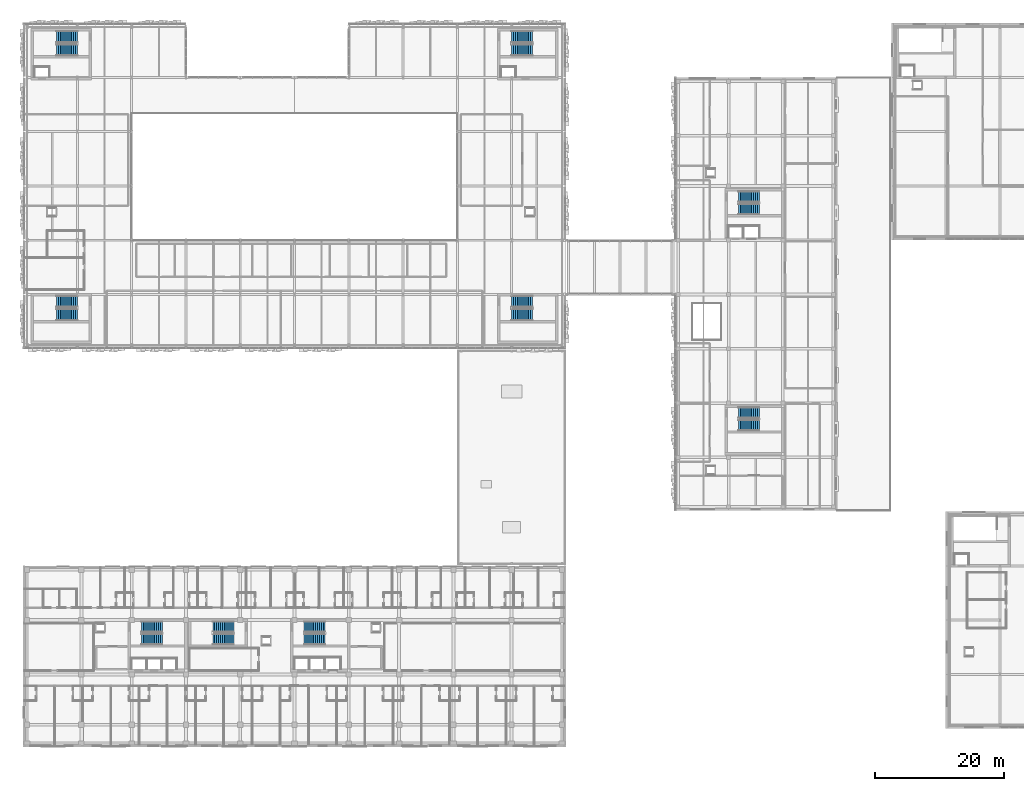
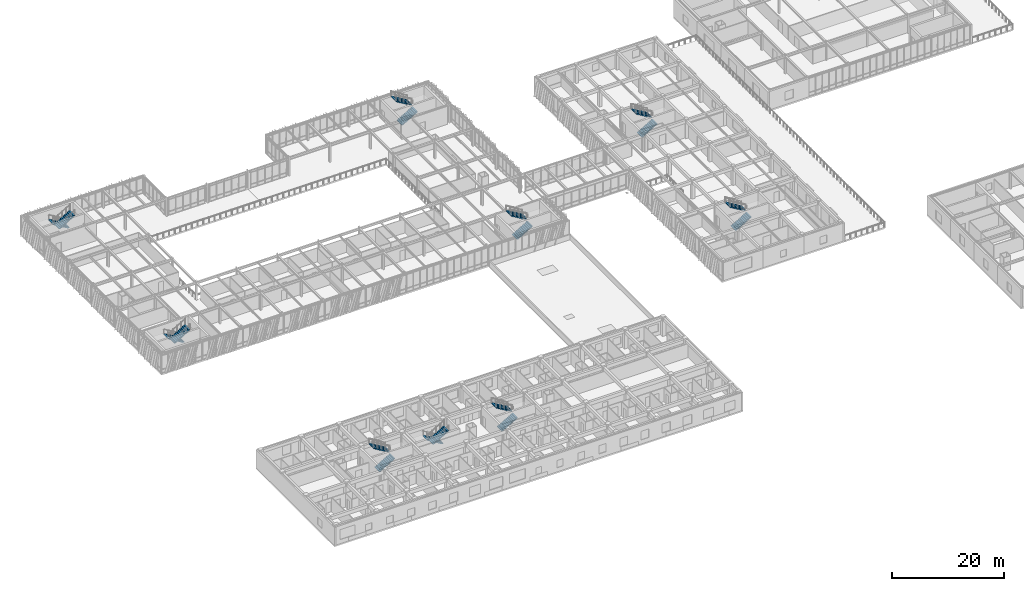
# One storey, part 114 of 127: 18 stair flights, 9 elements without a shape of their own.
"""IFC4 building model written with IfcOpenShell, lengths in metres."""

from ifc_helpers import new_model, si_unit, direction, frame, origin, place, context, subcontext, project, spatial, polyline, outline, extrude, material, type_object, element, aggregate, save


model = new_model("IFC4")

# Units and contexts
model_context = context("Model", 3, precision=1e-05, world=origin(), true_north=direction((0.0, 1.0)))
body_context = subcontext(model_context, "Body", "Model", "MODEL_VIEW")
ifc_project = project(units=[si_unit("LENGTHUNIT", "METRE"), si_unit("AREAUNIT", "SQUARE_METRE"), si_unit("VOLUMEUNIT", "CUBIC_METRE"), si_unit("PLANEANGLEUNIT", "RADIAN"), si_unit("MASSUNIT", "GRAM", prefix="KILO")], contexts=[model_context])

# Site, building, storey
site_placement = place(None, origin())
site = spatial("IfcSite", under=ifc_project, at=site_placement, CompositionType="ELEMENT")
building_placement = place(site_placement, origin())
building = spatial("IfcBuilding", under=site, at=building_placement, Name="Zayran Congress Hotel", CompositionType="ELEMENT")
storey_placement = place(building_placement, frame((0.0, 0.0, 10.800048828125)))
storey = spatial("IfcBuildingStorey", under=building, at=storey_placement, Name="L02", CompositionType="ELEMENT", Elevation=10.800048828125)

# Stair, stair flights
ifc_material = material(Name="Concrete C32/40", Category="concrete")
stair_type_1 = type_object("IfcStairType", Name="TP-STR-1700-42", PredefinedType="USERDEFINED", material=ifc_material)
stair_1_placement = place(storey_placement, origin())
stair_1 = element("IfcStair", 1, at=stair_1_placement, inside=storey, type_object=stair_type_1, Name="L02 ST-01", ObjectType="TWO_RETURN_STAIR", PredefinedType="USERDEFINED")
stair_flight_type_1 = type_object("IfcStairFlightType", Name="TP-STF-1700-42", PredefinedType="STRAIGHT", material=ifc_material)
stair_flight_1_placement = place(storey_placement, frame((26.699951171875, 22.610107421875, 0.0), z_axis=(0.0, 0.0, 1.0), x_axis=(1.0, 0.0, 0.0)))
stair_flight_1 = element("IfcStairFlight", 2, at=stair_flight_1_placement, type_object=stair_flight_type_1, Name="ST-01 flight 1", NumberOfRisers=12, NumberOfTreads=11, PredefinedType="STRAIGHT", RiserHeight=0.17499999999999996, TreadLength=0.295, context=body_context, shape_type="SweptSolid", body=[
    extrude(outline(polyline([(0.0, 0.0), (0.0, 0.175048828125), (0.294921875, 0.175048828125), (0.294921875, 0.35009765625), (0.590087890625, 0.35009765625), (0.590087890625, 0.52490234375), (0.885009765625, 0.52490234375), (0.885009765625, 0.699951171875), (1.179931640625, 0.699951171875), (1.179931640625, 0.875), (1.47509765625, 0.875), (1.47509765625, 1.050048828125), (1.77001953125, 1.050048828125), (1.77001953125, 1.22509765625), (2.06494140625, 1.22509765625), (2.06494140625, 1.39990234375), (2.360107421875, 1.39990234375), (2.360107421875, 1.574951171875), (2.655029296875, 1.574951171875), (2.655029296875, 1.75), (2.949951171875, 1.75), (2.949951171875, 1.925048828125), (3.2451171875, 1.925048828125), (3.2451171875, 2.10009765625), (3.2451171875, 1.750732421875), (0.293701171875, 0.0), (0.0, 0.0)])), frame((0.0, 0.85009765625, 0.0), z_axis=(0.0, -1.0, 0.0), x_axis=(1.0, 0.0, 0.0)), (0.0, 0.0, 1.0), 1.699951171875),
])
stair_flight_2_placement = place(storey_placement, frame((29.945068359375, 24.550048828125, 2.099853515625), z_axis=(0.0, 0.0, 1.0), x_axis=(-1.0, 0.0, 0.0)))
stair_flight_2 = element("IfcStairFlight", 3, at=stair_flight_2_placement, type_object=stair_flight_type_1, Name="ST-01 flight 2", NumberOfRisers=12, NumberOfTreads=11, PredefinedType="STRAIGHT", RiserHeight=0.17499999999999996, TreadLength=0.295, context=body_context, shape_type="SweptSolid", body=[
    extrude(outline(polyline([(0.0, 0.0), (0.0, 0.175048828125), (0.294921875, 0.175048828125), (0.294921875, 0.35009765625), (0.590087890625, 0.35009765625), (0.590087890625, 0.52490234375), (0.885009765625, 0.52490234375), (0.885009765625, 0.699951171875), (1.179931640625, 0.699951171875), (1.179931640625, 0.875), (1.47509765625, 0.875), (1.47509765625, 1.050048828125), (1.77001953125, 1.050048828125), (1.77001953125, 1.22509765625), (2.06494140625, 1.22509765625), (2.06494140625, 1.39990234375), (2.360107421875, 1.39990234375), (2.360107421875, 1.574951171875), (2.655029296875, 1.574951171875), (2.655029296875, 1.75), (2.949951171875, 1.75), (2.949951171875, 1.925048828125), (3.2451171875, 1.925048828125), (3.2451171875, 2.10009765625), (3.2451171875, 1.750732421875), (0.293701171875, 0.0), (0.0, 0.0)])), frame((0.0, 0.85009765625, 0.0), z_axis=(0.0, -1.0, 0.0), x_axis=(1.0, 0.0, 0.0)), (0.0, 0.0, 1.0), 1.699951171875),
])
aggregate(stair_1, [stair_flight_1, stair_flight_2])

stair_2_placement = place(storey_placement, origin())
stair_2 = element("IfcStair", 4, at=stair_2_placement, inside=storey, type_object=stair_type_1, Name="L02 ST-02", ObjectType="TWO_RETURN_STAIR", PredefinedType="USERDEFINED")
stair_flight_3_placement = place(storey_placement, frame((51.89990234375, 22.610107421875, 0.0), z_axis=(0.0, 0.0, 1.0), x_axis=(1.0, 0.0, 0.0)))
stair_flight_3 = element("IfcStairFlight", 5, at=stair_flight_3_placement, type_object=stair_flight_type_1, Name="ST-02 flight 1", NumberOfRisers=12, NumberOfTreads=11, PredefinedType="STRAIGHT", RiserHeight=0.17499999999999996, TreadLength=0.295, context=body_context, shape_type="SweptSolid", body=[
    extrude(outline(polyline([(0.0, 0.0), (0.0, 0.175048828125), (0.294921875, 0.175048828125), (0.294921875, 0.35009765625), (0.590087890625, 0.35009765625), (0.590087890625, 0.52490234375), (0.885009765625, 0.52490234375), (0.885009765625, 0.699951171875), (1.179931640625, 0.699951171875), (1.179931640625, 0.875), (1.47509765625, 0.875), (1.47509765625, 1.050048828125), (1.77001953125, 1.050048828125), (1.77001953125, 1.22509765625), (2.06494140625, 1.22509765625), (2.06494140625, 1.39990234375), (2.360107421875, 1.39990234375), (2.360107421875, 1.574951171875), (2.655029296875, 1.574951171875), (2.655029296875, 1.75), (2.949951171875, 1.75), (2.949951171875, 1.925048828125), (3.2451171875, 1.925048828125), (3.2451171875, 2.10009765625), (3.2451171875, 1.750732421875), (0.293701171875, 0.0), (0.0, 0.0)])), frame((0.0, 0.85009765625, 0.0), z_axis=(0.0, -1.0, 0.0), x_axis=(1.0, 0.0, 0.0)), (0.0, 0.0, 1.0), 1.699951171875),
])
stair_flight_4_placement = place(storey_placement, frame((55.14501953125, 24.550048828125, 2.099853515625), z_axis=(0.0, 0.0, 1.0), x_axis=(-1.0, 0.0, 0.0)))
stair_flight_4 = element("IfcStairFlight", 6, at=stair_flight_4_placement, type_object=stair_flight_type_1, Name="ST-02 flight 2", NumberOfRisers=12, NumberOfTreads=11, PredefinedType="STRAIGHT", RiserHeight=0.17499999999999996, TreadLength=0.295, context=body_context, shape_type="SweptSolid", body=[
    extrude(outline(polyline([(0.0, 0.0), (0.0, 0.175048828125), (0.294921875, 0.175048828125), (0.294921875, 0.35009765625), (0.590087890625, 0.35009765625), (0.590087890625, 0.52490234375), (0.885009765625, 0.52490234375), (0.885009765625, 0.699951171875), (1.179931640625, 0.699951171875), (1.179931640625, 0.875), (1.47509765625, 0.875), (1.47509765625, 1.050048828125), (1.77001953125, 1.050048828125), (1.77001953125, 1.22509765625), (2.06494140625, 1.22509765625), (2.06494140625, 1.39990234375), (2.360107421875, 1.39990234375), (2.360107421875, 1.574951171875), (2.655029296875, 1.574951171875), (2.655029296875, 1.75), (2.949951171875, 1.75), (2.949951171875, 1.925048828125), (3.2451171875, 1.925048828125), (3.2451171875, 2.10009765625), (3.2451171875, 1.750732421875), (0.293701171875, 0.0), (0.0, 0.0)])), frame((0.0, 0.85009765625, 0.0), z_axis=(0.0, -1.0, 0.0), x_axis=(1.0, 0.0, 0.0)), (0.0, 0.0, 1.0), 1.699951171875),
])
aggregate(stair_2, [stair_flight_3, stair_flight_4])

stair_3_placement = place(storey_placement, origin())
stair_3 = element("IfcStair", 7, at=stair_3_placement, inside=storey, type_object=stair_type_1, Name="L02 ST-13", ObjectType="TWO_RETURN_STAIR", PredefinedType="USERDEFINED")
stair_flight_5_placement = place(storey_placement, frame((41.0, 24.550048828125, 0.0), z_axis=(0.0, 0.0, 1.0), x_axis=(-1.0, 0.0, 0.0)))
stair_flight_5 = element("IfcStairFlight", 8, at=stair_flight_5_placement, type_object=stair_flight_type_1, Name="ST-13 flight 1", NumberOfRisers=12, NumberOfTreads=11, PredefinedType="STRAIGHT", RiserHeight=0.17499999999999996, TreadLength=0.295, context=body_context, shape_type="SweptSolid", body=[
    extrude(outline(polyline([(0.0, 0.0), (0.0, 0.175048828125), (0.294921875, 0.175048828125), (0.294921875, 0.35009765625), (0.590087890625, 0.35009765625), (0.590087890625, 0.52490234375), (0.885009765625, 0.52490234375), (0.885009765625, 0.699951171875), (1.179931640625, 0.699951171875), (1.179931640625, 0.875), (1.47509765625, 0.875), (1.47509765625, 1.050048828125), (1.77001953125, 1.050048828125), (1.77001953125, 1.22509765625), (2.06494140625, 1.22509765625), (2.06494140625, 1.39990234375), (2.360107421875, 1.39990234375), (2.360107421875, 1.574951171875), (2.655029296875, 1.574951171875), (2.655029296875, 1.75), (2.949951171875, 1.75), (2.949951171875, 1.925048828125), (3.2451171875, 1.925048828125), (3.2451171875, 2.10009765625), (3.2451171875, 1.750732421875), (0.293701171875, 0.0), (0.0, 0.0)])), frame((0.0, 0.85009765625, 0.0), z_axis=(0.0, -1.0, 0.0), x_axis=(1.0, 0.0, 0.0)), (0.0, 0.0, 1.0), 1.699951171875),
])
stair_flight_6_placement = place(storey_placement, frame((37.7548828125, 22.610107421875, 2.099853515625), z_axis=(0.0, 0.0, 1.0), x_axis=(1.0, 0.0, 0.0)))
stair_flight_6 = element("IfcStairFlight", 9, at=stair_flight_6_placement, type_object=stair_flight_type_1, Name="ST-13 flight 2", NumberOfRisers=12, NumberOfTreads=11, PredefinedType="STRAIGHT", RiserHeight=0.17499999999999996, TreadLength=0.295, context=body_context, shape_type="SweptSolid", body=[
    extrude(outline(polyline([(0.0, 0.0), (0.0, 0.175048828125), (0.294921875, 0.175048828125), (0.294921875, 0.35009765625), (0.590087890625, 0.35009765625), (0.590087890625, 0.52490234375), (0.885009765625, 0.52490234375), (0.885009765625, 0.699951171875), (1.179931640625, 0.699951171875), (1.179931640625, 0.875), (1.47509765625, 0.875), (1.47509765625, 1.050048828125), (1.77001953125, 1.050048828125), (1.77001953125, 1.22509765625), (2.06494140625, 1.22509765625), (2.06494140625, 1.39990234375), (2.360107421875, 1.39990234375), (2.360107421875, 1.574951171875), (2.655029296875, 1.574951171875), (2.655029296875, 1.75), (2.949951171875, 1.75), (2.949951171875, 1.925048828125), (3.2451171875, 1.925048828125), (3.2451171875, 2.10009765625), (3.2451171875, 1.750732421875), (0.293701171875, 0.0), (0.0, 0.0)])), frame((0.0, 0.85009765625, 0.0), z_axis=(0.0, -1.0, 0.0), x_axis=(1.0, 0.0, 0.0)), (0.0, 0.0, 1.0), 1.699951171875),
])
aggregate(stair_3, [stair_flight_5, stair_flight_6])

stair_4_placement = place(storey_placement, origin())
stair_4 = element("IfcStair", 10, at=stair_4_placement, inside=storey, type_object=stair_type_1, Name="L02 ST-07", ObjectType="TWO_RETURN_STAIR", PredefinedType="USERDEFINED")
stair_flight_7_placement = place(storey_placement, frame((119.10009765625, 89.2099609375, 0.0), z_axis=(0.0, 0.0, 1.0), x_axis=(1.0, 0.0, 0.0)))
stair_flight_7 = element("IfcStairFlight", 11, at=stair_flight_7_placement, type_object=stair_flight_type_1, Name="ST-07 flight 1", NumberOfRisers=12, NumberOfTreads=11, PredefinedType="STRAIGHT", RiserHeight=0.17499999999999996, TreadLength=0.295, context=body_context, shape_type="SweptSolid", body=[
    extrude(outline(polyline([(0.0, 0.0), (0.0, 0.175048828125), (0.294921875, 0.175048828125), (0.294921875, 0.35009765625), (0.590087890625, 0.35009765625), (0.590087890625, 0.52490234375), (0.885009765625, 0.52490234375), (0.885009765625, 0.699951171875), (1.179931640625, 0.699951171875), (1.179931640625, 0.875), (1.47509765625, 0.875), (1.47509765625, 1.050048828125), (1.77001953125, 1.050048828125), (1.77001953125, 1.22509765625), (2.06494140625, 1.22509765625), (2.06494140625, 1.39990234375), (2.360107421875, 1.39990234375), (2.360107421875, 1.574951171875), (2.655029296875, 1.574951171875), (2.655029296875, 1.75), (2.949951171875, 1.75), (2.949951171875, 1.925048828125), (3.2451171875, 1.925048828125), (3.2451171875, 2.10009765625), (3.2451171875, 1.750732421875), (0.293701171875, 0.0), (0.0, 0.0)])), frame((0.0, 0.85009765625, 0.0), z_axis=(0.0, -1.0, 0.0), x_axis=(1.0, 0.0, 0.0)), (0.0, 0.0, 1.0), 1.699951171875),
])
stair_flight_8_placement = place(storey_placement, frame((122.344970703125, 91.14990234375, 2.099853515625), z_axis=(0.0, 0.0, 1.0), x_axis=(-1.0, 0.0, 0.0)))
stair_flight_8 = element("IfcStairFlight", 12, at=stair_flight_8_placement, type_object=stair_flight_type_1, Name="ST-07 flight 2", NumberOfRisers=12, NumberOfTreads=11, PredefinedType="STRAIGHT", RiserHeight=0.17499999999999996, TreadLength=0.295, context=body_context, shape_type="SweptSolid", body=[
    extrude(outline(polyline([(0.0, 0.0), (0.0, 0.175048828125), (0.294921875, 0.175048828125), (0.294921875, 0.35009765625), (0.590087890625, 0.35009765625), (0.590087890625, 0.52490234375), (0.885009765625, 0.52490234375), (0.885009765625, 0.699951171875), (1.179931640625, 0.699951171875), (1.179931640625, 0.875), (1.47509765625, 0.875), (1.47509765625, 1.050048828125), (1.77001953125, 1.050048828125), (1.77001953125, 1.22509765625), (2.06494140625, 1.22509765625), (2.06494140625, 1.39990234375), (2.360107421875, 1.39990234375), (2.360107421875, 1.574951171875), (2.655029296875, 1.574951171875), (2.655029296875, 1.75), (2.949951171875, 1.75), (2.949951171875, 1.925048828125), (3.2451171875, 1.925048828125), (3.2451171875, 2.10009765625), (3.2451171875, 1.750732421875), (0.293701171875, 0.0), (0.0, 0.0)])), frame((0.0, 0.85009765625, 0.0), z_axis=(0.0, -1.0, 0.0), x_axis=(1.0, 0.0, 0.0)), (0.0, 0.0, 1.0), 1.699951171875),
])
aggregate(stair_4, [stair_flight_7, stair_flight_8])

stair_5_placement = place(storey_placement, origin())
stair_5 = element("IfcStair", 13, at=stair_5_placement, inside=storey, type_object=stair_type_1, Name="L02 ST-08", ObjectType="TWO_RETURN_STAIR", PredefinedType="USERDEFINED")
stair_flight_9_placement = place(storey_placement, frame((119.10009765625, 55.760009765625, 0.0), z_axis=(0.0, 0.0, 1.0), x_axis=(1.0, 0.0, 0.0)))
stair_flight_9 = element("IfcStairFlight", 14, at=stair_flight_9_placement, type_object=stair_flight_type_1, Name="ST-08 flight 1", NumberOfRisers=12, NumberOfTreads=11, PredefinedType="STRAIGHT", RiserHeight=0.17499999999999996, TreadLength=0.295, context=body_context, shape_type="SweptSolid", body=[
    extrude(outline(polyline([(0.0, 0.0), (0.0, 0.175048828125), (0.294921875, 0.175048828125), (0.294921875, 0.35009765625), (0.590087890625, 0.35009765625), (0.590087890625, 0.52490234375), (0.885009765625, 0.52490234375), (0.885009765625, 0.699951171875), (1.179931640625, 0.699951171875), (1.179931640625, 0.875), (1.47509765625, 0.875), (1.47509765625, 1.050048828125), (1.77001953125, 1.050048828125), (1.77001953125, 1.22509765625), (2.06494140625, 1.22509765625), (2.06494140625, 1.39990234375), (2.360107421875, 1.39990234375), (2.360107421875, 1.574951171875), (2.655029296875, 1.574951171875), (2.655029296875, 1.75), (2.949951171875, 1.75), (2.949951171875, 1.925048828125), (3.2451171875, 1.925048828125), (3.2451171875, 2.10009765625), (3.2451171875, 1.750732421875), (0.293701171875, 0.0), (0.0, 0.0)])), frame((0.0, 0.85009765625, 0.0), z_axis=(0.0, -1.0, 0.0), x_axis=(1.0, 0.0, 0.0)), (0.0, 0.0, 1.0), 1.699951171875),
])
stair_flight_10_placement = place(storey_placement, frame((122.344970703125, 57.699951171875, 2.099853515625), z_axis=(0.0, 0.0, 1.0), x_axis=(-1.0, 0.0, 0.0)))
stair_flight_10 = element("IfcStairFlight", 15, at=stair_flight_10_placement, type_object=stair_flight_type_1, Name="ST-08 flight 2", NumberOfRisers=12, NumberOfTreads=11, PredefinedType="STRAIGHT", RiserHeight=0.17499999999999996, TreadLength=0.295, context=body_context, shape_type="SweptSolid", body=[
    extrude(outline(polyline([(0.0, 0.0), (0.0, 0.175048828125), (0.294921875, 0.175048828125), (0.294921875, 0.35009765625), (0.590087890625, 0.35009765625), (0.590087890625, 0.52490234375), (0.885009765625, 0.52490234375), (0.885009765625, 0.699951171875), (1.179931640625, 0.699951171875), (1.179931640625, 0.875), (1.47509765625, 0.875), (1.47509765625, 1.050048828125), (1.77001953125, 1.050048828125), (1.77001953125, 1.22509765625), (2.06494140625, 1.22509765625), (2.06494140625, 1.39990234375), (2.360107421875, 1.39990234375), (2.360107421875, 1.574951171875), (2.655029296875, 1.574951171875), (2.655029296875, 1.75), (2.949951171875, 1.75), (2.949951171875, 1.925048828125), (3.2451171875, 1.925048828125), (3.2451171875, 2.10009765625), (3.2451171875, 1.750732421875), (0.293701171875, 0.0), (0.0, 0.0)])), frame((0.0, 0.85009765625, 0.0), z_axis=(0.0, -1.0, 0.0), x_axis=(1.0, 0.0, 0.0)), (0.0, 0.0, 1.0), 1.699951171875),
])
aggregate(stair_5, [stair_flight_9, stair_flight_10])

stair_type_2 = type_object("IfcStairType", Name="TP-STR-1800-42", PredefinedType="USERDEFINED", material=ifc_material)
stair_6_placement = place(storey_placement, origin())
stair_6 = element("IfcStair", 16, at=stair_6_placement, inside=storey, type_object=stair_type_2, Name="L02 ST-03", ObjectType="TWO_RETURN_STAIR", PredefinedType="USERDEFINED")
stair_flight_type_2 = type_object("IfcStairFlightType", Name="TP-STF-1800-42", PredefinedType="STRAIGHT", material=ifc_material)
stair_flight_11_placement = place(storey_placement, frame((16.800048828125, 115.89990234375, 0.0), z_axis=(0.0, 0.0, 1.0), x_axis=(-1.0, 0.0, 0.0)))
stair_flight_11 = element("IfcStairFlight", 17, at=stair_flight_11_placement, type_object=stair_flight_type_2, Name="ST-03 flight 1", NumberOfRisers=12, NumberOfTreads=11, PredefinedType="STRAIGHT", RiserHeight=0.17499999999999996, TreadLength=0.295, context=body_context, shape_type="SweptSolid", body=[
    extrude(outline(polyline([(0.0, 0.0), (0.0, 0.175048828125), (0.294921875, 0.175048828125), (0.294921875, 0.35009765625), (0.590087890625, 0.35009765625), (0.590087890625, 0.52490234375), (0.885009765625, 0.52490234375), (0.885009765625, 0.699951171875), (1.179931640625, 0.699951171875), (1.179931640625, 0.875), (1.47509765625, 0.875), (1.47509765625, 1.050048828125), (1.77001953125, 1.050048828125), (1.77001953125, 1.22509765625), (2.06494140625, 1.22509765625), (2.06494140625, 1.39990234375), (2.360107421875, 1.39990234375), (2.360107421875, 1.574951171875), (2.655029296875, 1.574951171875), (2.655029296875, 1.75), (2.949951171875, 1.75), (2.949951171875, 1.925048828125), (3.2451171875, 1.925048828125), (3.2451171875, 2.10009765625), (3.2451171875, 1.750732421875), (0.293701171875, 0.0), (0.0, 0.0)])), frame((0.0, 0.89990234375, 0.0), z_axis=(0.0, -1.0, 0.0), x_axis=(1.0, 0.0, 0.0)), (0.0, 0.0, 1.0), 1.800048828125),
])
stair_flight_12_placement = place(storey_placement, frame((13.554931640625, 113.860107421875, 2.099853515625), z_axis=(0.0, 0.0, 1.0), x_axis=(1.0, 0.0, 0.0)))
stair_flight_12 = element("IfcStairFlight", 18, at=stair_flight_12_placement, type_object=stair_flight_type_2, Name="ST-03 flight 2", NumberOfRisers=12, NumberOfTreads=11, PredefinedType="STRAIGHT", RiserHeight=0.17499999999999996, TreadLength=0.295, context=body_context, shape_type="SweptSolid", body=[
    extrude(outline(polyline([(0.0, 0.0), (0.0, 0.175048828125), (0.294921875, 0.175048828125), (0.294921875, 0.35009765625), (0.590087890625, 0.35009765625), (0.590087890625, 0.52490234375), (0.885009765625, 0.52490234375), (0.885009765625, 0.699951171875), (1.179931640625, 0.699951171875), (1.179931640625, 0.875), (1.47509765625, 0.875), (1.47509765625, 1.050048828125), (1.77001953125, 1.050048828125), (1.77001953125, 1.22509765625), (2.06494140625, 1.22509765625), (2.06494140625, 1.39990234375), (2.360107421875, 1.39990234375), (2.360107421875, 1.574951171875), (2.655029296875, 1.574951171875), (2.655029296875, 1.75), (2.949951171875, 1.75), (2.949951171875, 1.925048828125), (3.2451171875, 1.925048828125), (3.2451171875, 2.10009765625), (3.2451171875, 1.750732421875), (0.293701171875, 0.0), (0.0, 0.0)])), frame((0.0, 0.89990234375, 0.0), z_axis=(0.0, -1.0, 0.0), x_axis=(1.0, 0.0, 0.0)), (0.0, 0.0, 1.0), 1.800048828125),
])
aggregate(stair_6, [stair_flight_11, stair_flight_12])

stair_7_placement = place(storey_placement, origin())
stair_7 = element("IfcStair", 19, at=stair_7_placement, inside=storey, type_object=stair_type_2, Name="L02 ST-04", ObjectType="TWO_RETURN_STAIR", PredefinedType="USERDEFINED")
stair_flight_13_placement = place(storey_placement, frame((84.0, 113.860107421875, 0.0), z_axis=(0.0, 0.0, 1.0), x_axis=(1.0, 0.0, 0.0)))
stair_flight_13 = element("IfcStairFlight", 20, at=stair_flight_13_placement, type_object=stair_flight_type_2, Name="ST-04 flight 1", NumberOfRisers=12, NumberOfTreads=11, PredefinedType="STRAIGHT", RiserHeight=0.17499999999999996, TreadLength=0.295, context=body_context, shape_type="SweptSolid", body=[
    extrude(outline(polyline([(0.0, 0.0), (0.0, 0.175048828125), (0.294921875, 0.175048828125), (0.294921875, 0.35009765625), (0.590087890625, 0.35009765625), (0.590087890625, 0.52490234375), (0.885009765625, 0.52490234375), (0.885009765625, 0.699951171875), (1.179931640625, 0.699951171875), (1.179931640625, 0.875), (1.47509765625, 0.875), (1.47509765625, 1.050048828125), (1.77001953125, 1.050048828125), (1.77001953125, 1.22509765625), (2.06494140625, 1.22509765625), (2.06494140625, 1.39990234375), (2.360107421875, 1.39990234375), (2.360107421875, 1.574951171875), (2.655029296875, 1.574951171875), (2.655029296875, 1.75), (2.949951171875, 1.75), (2.949951171875, 1.925048828125), (3.2451171875, 1.925048828125), (3.2451171875, 2.10009765625), (3.2451171875, 1.750732421875), (0.293701171875, 0.0), (0.0, 0.0)])), frame((0.0, 0.89990234375, 0.0), z_axis=(0.0, -1.0, 0.0), x_axis=(1.0, 0.0, 0.0)), (0.0, 0.0, 1.0), 1.800048828125),
])
stair_flight_14_placement = place(storey_placement, frame((87.2451171875, 115.89990234375, 2.099853515625), z_axis=(0.0, 0.0, 1.0), x_axis=(-1.0, 0.0, 0.0)))
stair_flight_14 = element("IfcStairFlight", 21, at=stair_flight_14_placement, type_object=stair_flight_type_2, Name="ST-04 flight 2", NumberOfRisers=12, NumberOfTreads=11, PredefinedType="STRAIGHT", RiserHeight=0.17499999999999996, TreadLength=0.295, context=body_context, shape_type="SweptSolid", body=[
    extrude(outline(polyline([(0.0, 0.0), (0.0, 0.175048828125), (0.294921875, 0.175048828125), (0.294921875, 0.35009765625), (0.590087890625, 0.35009765625), (0.590087890625, 0.52490234375), (0.885009765625, 0.52490234375), (0.885009765625, 0.699951171875), (1.179931640625, 0.699951171875), (1.179931640625, 0.875), (1.47509765625, 0.875), (1.47509765625, 1.050048828125), (1.77001953125, 1.050048828125), (1.77001953125, 1.22509765625), (2.06494140625, 1.22509765625), (2.06494140625, 1.39990234375), (2.360107421875, 1.39990234375), (2.360107421875, 1.574951171875), (2.655029296875, 1.574951171875), (2.655029296875, 1.75), (2.949951171875, 1.75), (2.949951171875, 1.925048828125), (3.2451171875, 1.925048828125), (3.2451171875, 2.10009765625), (3.2451171875, 1.750732421875), (0.293701171875, 0.0), (0.0, 0.0)])), frame((0.0, 0.89990234375, 0.0), z_axis=(0.0, -1.0, 0.0), x_axis=(1.0, 0.0, 0.0)), (0.0, 0.0, 1.0), 1.800048828125),
])
aggregate(stair_7, [stair_flight_13, stair_flight_14])

stair_8_placement = place(storey_placement, origin())
stair_8 = element("IfcStair", 22, at=stair_8_placement, inside=storey, type_object=stair_type_2, Name="L02 ST-05", ObjectType="TWO_RETURN_STAIR", PredefinedType="USERDEFINED")
stair_flight_15_placement = place(storey_placement, frame((16.800048828125, 74.89990234375, 0.0), z_axis=(0.0, 0.0, 1.0), x_axis=(-1.0, 0.0, 0.0)))
stair_flight_15 = element("IfcStairFlight", 23, at=stair_flight_15_placement, type_object=stair_flight_type_2, Name="ST-05 flight 1", NumberOfRisers=12, NumberOfTreads=11, PredefinedType="STRAIGHT", RiserHeight=0.17499999999999996, TreadLength=0.295, context=body_context, shape_type="SweptSolid", body=[
    extrude(outline(polyline([(0.0, 0.0), (0.0, 0.175048828125), (0.294921875, 0.175048828125), (0.294921875, 0.35009765625), (0.590087890625, 0.35009765625), (0.590087890625, 0.52490234375), (0.885009765625, 0.52490234375), (0.885009765625, 0.699951171875), (1.179931640625, 0.699951171875), (1.179931640625, 0.875), (1.47509765625, 0.875), (1.47509765625, 1.050048828125), (1.77001953125, 1.050048828125), (1.77001953125, 1.22509765625), (2.06494140625, 1.22509765625), (2.06494140625, 1.39990234375), (2.360107421875, 1.39990234375), (2.360107421875, 1.574951171875), (2.655029296875, 1.574951171875), (2.655029296875, 1.75), (2.949951171875, 1.75), (2.949951171875, 1.925048828125), (3.2451171875, 1.925048828125), (3.2451171875, 2.10009765625), (3.2451171875, 1.750732421875), (0.293701171875, 0.0), (0.0, 0.0)])), frame((0.0, 0.89990234375, 0.0), z_axis=(0.0, -1.0, 0.0), x_axis=(1.0, 0.0, 0.0)), (0.0, 0.0, 1.0), 1.800048828125),
])
stair_flight_16_placement = place(storey_placement, frame((13.554931640625, 72.860107421875, 2.099853515625), z_axis=(0.0, 0.0, 1.0), x_axis=(1.0, 0.0, 0.0)))
stair_flight_16 = element("IfcStairFlight", 24, at=stair_flight_16_placement, type_object=stair_flight_type_2, Name="ST-05 flight 2", NumberOfRisers=12, NumberOfTreads=11, PredefinedType="STRAIGHT", RiserHeight=0.17499999999999996, TreadLength=0.295, context=body_context, shape_type="SweptSolid", body=[
    extrude(outline(polyline([(0.0, 0.0), (0.0, 0.175048828125), (0.294921875, 0.175048828125), (0.294921875, 0.35009765625), (0.590087890625, 0.35009765625), (0.590087890625, 0.52490234375), (0.885009765625, 0.52490234375), (0.885009765625, 0.699951171875), (1.179931640625, 0.699951171875), (1.179931640625, 0.875), (1.47509765625, 0.875), (1.47509765625, 1.050048828125), (1.77001953125, 1.050048828125), (1.77001953125, 1.22509765625), (2.06494140625, 1.22509765625), (2.06494140625, 1.39990234375), (2.360107421875, 1.39990234375), (2.360107421875, 1.574951171875), (2.655029296875, 1.574951171875), (2.655029296875, 1.75), (2.949951171875, 1.75), (2.949951171875, 1.925048828125), (3.2451171875, 1.925048828125), (3.2451171875, 2.10009765625), (3.2451171875, 1.750732421875), (0.293701171875, 0.0), (0.0, 0.0)])), frame((0.0, 0.89990234375, 0.0), z_axis=(0.0, -1.0, 0.0), x_axis=(1.0, 0.0, 0.0)), (0.0, 0.0, 1.0), 1.800048828125),
])
aggregate(stair_8, [stair_flight_15, stair_flight_16])

stair_9_placement = place(storey_placement, origin())
stair_9 = element("IfcStair", 25, at=stair_9_placement, inside=storey, type_object=stair_type_2, Name="L02 ST-06", ObjectType="TWO_RETURN_STAIR", PredefinedType="USERDEFINED")
stair_flight_17_placement = place(storey_placement, frame((84.0, 72.860107421875, 0.0), z_axis=(0.0, 0.0, 1.0), x_axis=(1.0, 0.0, 0.0)))
stair_flight_17 = element("IfcStairFlight", 26, at=stair_flight_17_placement, type_object=stair_flight_type_2, Name="ST-06 flight 1", NumberOfRisers=12, NumberOfTreads=11, PredefinedType="STRAIGHT", RiserHeight=0.17499999999999996, TreadLength=0.295, context=body_context, shape_type="SweptSolid", body=[
    extrude(outline(polyline([(0.0, 0.0), (0.0, 0.175048828125), (0.294921875, 0.175048828125), (0.294921875, 0.35009765625), (0.590087890625, 0.35009765625), (0.590087890625, 0.52490234375), (0.885009765625, 0.52490234375), (0.885009765625, 0.699951171875), (1.179931640625, 0.699951171875), (1.179931640625, 0.875), (1.47509765625, 0.875), (1.47509765625, 1.050048828125), (1.77001953125, 1.050048828125), (1.77001953125, 1.22509765625), (2.06494140625, 1.22509765625), (2.06494140625, 1.39990234375), (2.360107421875, 1.39990234375), (2.360107421875, 1.574951171875), (2.655029296875, 1.574951171875), (2.655029296875, 1.75), (2.949951171875, 1.75), (2.949951171875, 1.925048828125), (3.2451171875, 1.925048828125), (3.2451171875, 2.10009765625), (3.2451171875, 1.750732421875), (0.293701171875, 0.0), (0.0, 0.0)])), frame((0.0, 0.89990234375, 0.0), z_axis=(0.0, -1.0, 0.0), x_axis=(1.0, 0.0, 0.0)), (0.0, 0.0, 1.0), 1.800048828125),
])
stair_flight_18_placement = place(storey_placement, frame((87.2451171875, 74.89990234375, 2.099853515625), z_axis=(0.0, 0.0, 1.0), x_axis=(-1.0, 0.0, 0.0)))
stair_flight_18 = element("IfcStairFlight", 27, at=stair_flight_18_placement, type_object=stair_flight_type_2, Name="ST-06 flight 2", NumberOfRisers=12, NumberOfTreads=11, PredefinedType="STRAIGHT", RiserHeight=0.17499999999999996, TreadLength=0.295, context=body_context, shape_type="SweptSolid", body=[
    extrude(outline(polyline([(0.0, 0.0), (0.0, 0.175048828125), (0.294921875, 0.175048828125), (0.294921875, 0.35009765625), (0.590087890625, 0.35009765625), (0.590087890625, 0.52490234375), (0.885009765625, 0.52490234375), (0.885009765625, 0.699951171875), (1.179931640625, 0.699951171875), (1.179931640625, 0.875), (1.47509765625, 0.875), (1.47509765625, 1.050048828125), (1.77001953125, 1.050048828125), (1.77001953125, 1.22509765625), (2.06494140625, 1.22509765625), (2.06494140625, 1.39990234375), (2.360107421875, 1.39990234375), (2.360107421875, 1.574951171875), (2.655029296875, 1.574951171875), (2.655029296875, 1.75), (2.949951171875, 1.75), (2.949951171875, 1.925048828125), (3.2451171875, 1.925048828125), (3.2451171875, 2.10009765625), (3.2451171875, 1.750732421875), (0.293701171875, 0.0), (0.0, 0.0)])), frame((0.0, 0.89990234375, 0.0), z_axis=(0.0, -1.0, 0.0), x_axis=(1.0, 0.0, 0.0)), (0.0, 0.0, 1.0), 1.800048828125),
])
aggregate(stair_9, [stair_flight_17, stair_flight_18])

save(model, "model.ifc")
